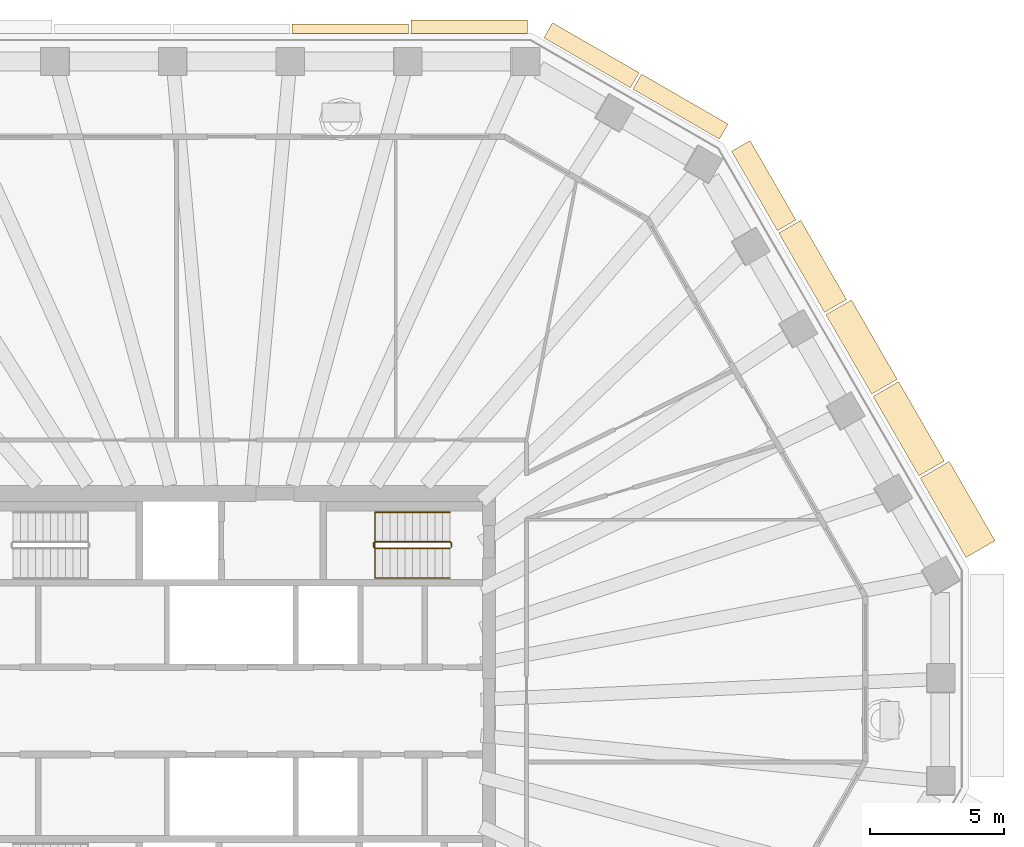
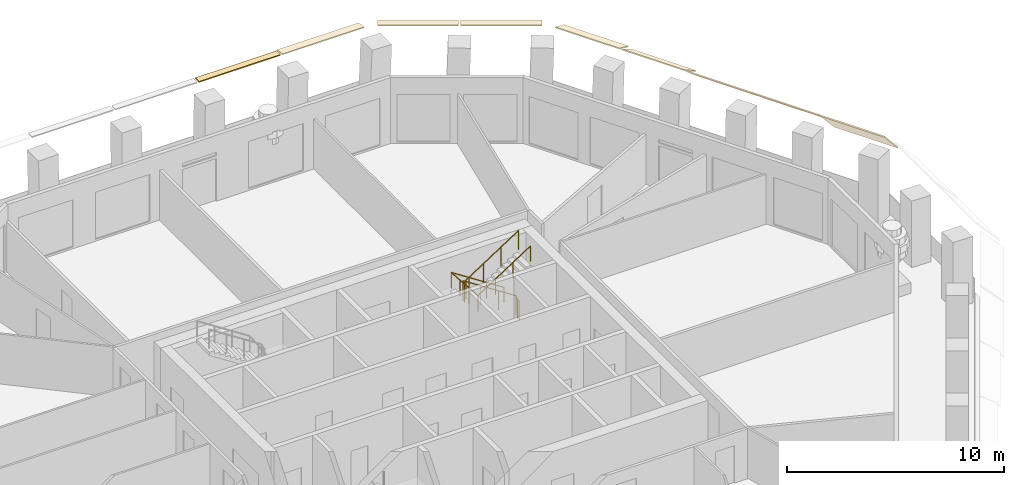
# One storey, part 10 of 12: 9 coverings, 2 railings.
"""IFC4 building model written with IfcOpenShell, lengths in metres."""

from ifc_helpers import new_model, si_unit, direction, frame, origin, origin_2d, place, context, subcontext, project, spatial, polyline, circle, outline, extrude, material, layer, layer_set, type_object, element, save


model = new_model("IFC4")

# Units and contexts
model_context = context("Model", 3, precision=1e-05, world=origin(), true_north=direction((0.0, 1.0)))
body_context = subcontext(model_context, "Body", "Model", "MODEL_VIEW")
ifc_project = project(units=[si_unit("LENGTHUNIT", "METRE"), si_unit("AREAUNIT", "SQUARE_METRE"), si_unit("VOLUMEUNIT", "CUBIC_METRE"), si_unit("PLANEANGLEUNIT", "RADIAN"), si_unit("MASSUNIT", "GRAM", prefix="KILO")], contexts=[model_context])

# Site, building, storey
site_placement = place(None, origin())
site = spatial("IfcSite", under=ifc_project, at=site_placement, CompositionType="ELEMENT")
building_placement = place(site_placement, origin())
building = spatial("IfcBuilding", under=site, at=building_placement, Name="Frailejon Research Tower", CompositionType="ELEMENT")
storey_placement = place(building_placement, frame((0.0, 0.0, 249.39990234375)))
storey = spatial("IfcBuildingStorey", under=building, at=storey_placement, Name="L54", CompositionType="ELEMENT", Elevation=249.39990234375)

# Coverings
ifc_material_1 = material(Name="Precast concrete C50/60", Category="concrete")
ifc_layer_1 = layer(ifc_material_1, 0.06005859375)
ifc_layer_set_1 = layer_set([ifc_layer_1], Name="Brim blade depth 1100")
covering_type_1 = type_object("IfcCoveringType", Name="Brim blade depth 1100", PredefinedType="CLADDING", material=ifc_layer_set_1)
for number, where, z_axis, x_axis, name in (
    (1, (23.914306640625, 11.718994140625, 3.85009765625), (0.499998981795, -0.866025991645, 0.0), (0.866025991645, 0.499998981795, 0.0), "Brim blade L54"),
    (2, (22.156005859375, 14.764404296875, 3.85009765625), (0.499998981795, -0.866025991645, 0.0), (0.866025991645, 0.499998981795, 0.0), "Brim blade L54"),
):
    element("IfcCovering", number, at=place(storey_placement, frame(where, z_axis=z_axis, x_axis=x_axis)), inside=storey, type_object=covering_type_1, Name=name, PredefinedType="CLADDING", context=body_context, shape_type="SweptSolid", body=[
        extrude(outline(polyline([(0.0, -0.078369140625), (1.10009765625, -1.001220703125), (1.10009765625, -0.923095703125), (0.0, 0.0), (0.0, -0.078369140625)])), origin(), (0.0, 0.0, 1.0), 3.41650390625),
    ])
ifc_material_2 = material(Name="Precast concrete C50/60", Category="concrete")
ifc_layer_2 = layer(ifc_material_2, 0.06005859375)
ifc_layer_set_2 = layer_set([ifc_layer_2], Name="Brim blade depth 1250")
covering_type_2 = type_object("IfcCoveringType", Name="Brim blade depth 1250", PredefinedType="CLADDING", material=ifc_layer_set_2)
covering_1_placement = place(storey_placement, frame((25.672607421875, 8.673583984375, 3.85009765625), z_axis=(0.499986667949, -0.866033100911, 0.0), x_axis=(0.866033100911, 0.499986667949, 0.0)))
element("IfcCovering", 3, at=covering_1_placement, inside=storey, type_object=covering_type_2, Name="Brim blade L54", PredefinedType="CLADDING", context=body_context, shape_type="SweptSolid", body=[
    extrude(outline(polyline([(0.0, -0.0888671875), (1.25, -1.452880859375), (1.25, -1.364013671875), (0.0, 0.0), (0.0, -0.0888671875)])), origin(), (0.0, 0.0, 1.0), 3.41650390625),
])
ifc_material_3 = material(Name="Precast concrete C50/60", Category="concrete")
ifc_layer_3 = layer(ifc_material_3, 0.06005859375)
ifc_layer_set_3 = layer_set([ifc_layer_3], Name="Brim blade depth 350")
covering_type_3 = type_object("IfcCoveringType", Name="Brim blade depth 350", PredefinedType="CLADDING", material=ifc_layer_set_3)
covering_2_placement = place(storey_placement, frame((2.265380859375, 25.25, 3.85009765625), z_axis=(1.0, 0.0, 0.0), x_axis=(0.0, 1.0, 0.0)))
element("IfcCovering", 4, at=covering_2_placement, inside=storey, type_object=covering_type_3, Name="Brim blade L54", PredefinedType="CLADDING", context=body_context, shape_type="SweptSolid", body=[
    extrude(outline(polyline([(0.0, -0.06005859375), (0.35009765625, -0.06005859375), (0.35009765625, 0.0), (0.0, 0.0), (0.0, -0.06005859375)])), origin(), (0.0, 0.0, 1.0), 4.330810546875),
])
ifc_material_4 = material(Name="Precast concrete C50/60", Category="concrete")
ifc_layer_4 = layer(ifc_material_4, 0.06005859375)
ifc_layer_set_4 = layer_set([ifc_layer_4], Name="Brim blade depth 500")
covering_type_4 = type_object("IfcCoveringType", Name="Brim blade depth 500", PredefinedType="CLADDING", material=ifc_layer_set_4)
covering_3_placement = place(storey_placement, frame((6.6962890625, 25.25, 3.85009765625), z_axis=(1.0, 0.0, 0.0), x_axis=(0.0, 1.0, 0.0)))
element("IfcCovering", 5, at=covering_3_placement, inside=storey, type_object=covering_type_4, Name="Brim blade L54", PredefinedType="CLADDING", context=body_context, shape_type="SweptSolid", body=[
    extrude(outline(polyline([(0.0, -0.060546875), (0.5, -0.130859375), (0.5, -0.0703125), (0.0, 0.0), (0.0, -0.060546875)])), origin(), (0.0, 0.0, 1.0), 4.330810546875),
])
ifc_material_5 = material(Name="Precast concrete C50/60", Category="concrete")
ifc_layer_5 = layer(ifc_material_5, 0.06005859375)
ifc_layer_set_5 = layer_set([ifc_layer_5], Name="Brim blade depth 650")
covering_type_5 = type_object("IfcCoveringType", Name="Brim blade depth 650", PredefinedType="CLADDING", material=ifc_layer_set_5)
for number, where, z_axis, x_axis, name in (
    (6, (14.959716796875, 23.1708984375, 3.85009765625), (0.866029793251, -0.499992397145, 0.0), (0.499992397145, 0.866029793251, 0.0), "Brim blade L54"),
    (7, (11.6455078125, 25.084228515625, 3.85009765625), (0.866018477835, -0.500011995905, 0.0), (0.500011995905, 0.866018477835, 0.0), "Brim blade L54"),
):
    element("IfcCovering", number, at=place(storey_placement, frame(where, z_axis=z_axis, x_axis=x_axis)), inside=storey, type_object=covering_type_5, Name=name, PredefinedType="CLADDING", context=body_context, shape_type="SweptSolid", body=[
        extrude(outline(polyline([(0.0, -0.0625), (0.64990234375, -0.248779296875), (0.64990234375, -0.186279296875), (0.0, 0.0), (0.0, -0.0625)])), origin(), (0.0, 0.0, 1.0), 3.726806640625),
    ])
ifc_material_6 = material(Name="Precast concrete C50/60", Category="concrete")
ifc_layer_6 = layer(ifc_material_6, 0.06005859375)
ifc_layer_set_6 = layer_set([ifc_layer_6], Name="Brim blade depth 800")
covering_type_6 = type_object("IfcCoveringType", Name="Brim blade depth 800", PredefinedType="CLADDING", material=ifc_layer_set_6)
covering_4_placement = place(storey_placement, frame((18.6396484375, 20.85498046875, 3.85009765625), z_axis=(0.500007996105, -0.866020787182, 0.0), x_axis=(0.866020787182, 0.500007996105, 0.0)))
element("IfcCovering", 8, at=covering_4_placement, inside=storey, type_object=covering_type_6, Name="Brim blade L54", PredefinedType="CLADDING", context=body_context, shape_type="SweptSolid", body=[
    extrude(outline(polyline([(0.0, -0.065673828125), (0.800048828125, -0.421875), (0.800048828125, -0.356201171875), (0.0, 0.0), (0.0, -0.065673828125)])), origin(), (0.0, 0.0, 1.0), 3.41650390625),
])
ifc_material_7 = material(Name="Precast concrete C50/60", Category="concrete")
ifc_layer_7 = layer(ifc_material_7, 0.06005859375)
ifc_layer_set_7 = layer_set([ifc_layer_7], Name="Brim blade depth 950")
covering_type_7 = type_object("IfcCoveringType", Name="Brim blade depth 950", PredefinedType="CLADDING", material=ifc_layer_set_7)
covering_5_placement = place(storey_placement, frame((20.39794921875, 17.8095703125, 3.85009765625), z_axis=(0.499998981795, -0.866025991645, 0.0), x_axis=(0.866025991645, 0.499998981795, 0.0)))
element("IfcCovering", 9, at=covering_5_placement, inside=storey, type_object=covering_type_7, Name="Brim blade L54", PredefinedType="CLADDING", context=body_context, shape_type="SweptSolid", body=[
    extrude(outline(polyline([(0.0, -0.07080078125), (0.949951171875, -0.664306640625), (0.949951171875, -0.593505859375), (0.0, 0.0), (0.0, -0.07080078125)])), origin(), (0.0, 0.0, 1.0), 3.41650390625),
])

# Railings
ifc_material_8 = material(Name="Stainless steel", Category="steel")
railing_type_1 = type_object("IfcRailingType", Name="Stair guard 1100", PredefinedType="GUARDRAIL", material=ifc_material_8)
railing_1_placement = place(storey_placement, frame((8.199951171875, 6.10009765625, 0.0)))
element("IfcRailing", 10, at=railing_1_placement, inside=storey, type_object=railing_type_1, Name="L54 ST3 stair guard 1", PredefinedType="GUARDRAIL", context=body_context, shape_type="SweptSolid", body=[
    extrude(circle(Radius=0.02392578125, at=origin_2d()), frame((0.0, 0.0, 1.076171875), z_axis=(0.0, 1.0, 0.0), x_axis=(-1.0, 0.0, 0.0)), (0.0, 0.0, 1.0), 0.14990234375),
    extrude(circle(Radius=0.02392578125, at=origin_2d()), frame((0.0, 0.14990234375, 1.076171875), z_axis=(-0.256435381639, 0.256435381639, 0.931923704005), x_axis=(-0.707106781187, -0.707106781187, 0.0)), (0.0, 0.0, 1.0), 0.195068359375),
    extrude(circle(Radius=0.02392578125, at=origin_2d()), frame((-0.050048828125, 0.199951171875, 1.2578125), z_axis=(-0.83868413941, 0.0, 0.544618136222), x_axis=(0.0, -1.0, 0.0)), (0.0, 0.0, 1.0), 3.33837890625),
    extrude(circle(Radius=0.02392578125, at=origin_2d()), frame((-2.849853515625, 0.199951171875, 3.076171875), z_axis=(-0.707106781187, -0.707106781187, 0.0), x_axis=(0.707106781187, -0.707106781187, 0.0)), (0.0, 0.0, 1.0), 0.07080078125),
    extrude(circle(Radius=0.02392578125, at=origin_2d()), frame((-2.89990234375, 0.14990234375, 3.076171875), z_axis=(0.0, -1.0, 0.0), x_axis=(1.0, 0.0, 0.0)), (0.0, 0.0, 1.0), 0.14990234375),
    extrude(circle(Radius=0.02392578125, at=origin_2d()), frame((-2.89990234375, 0.0, 3.076171875), z_axis=(0.256435381639, -0.256435381639, 0.931923704005), x_axis=(0.707106781187, 0.707106781187, 0.0)), (0.0, 0.0, 1.0), 0.195068359375),
    extrude(circle(Radius=0.02392578125, at=origin_2d()), frame((-2.849853515625, -0.050048828125, 3.2578125), z_axis=(0.83868413941, 0.0, 0.544618136222), x_axis=(0.0, 1.0, 0.0)), (0.0, 0.0, 1.0), 3.33837890625),
    extrude(circle(Radius=0.02099609375, at=origin_2d()), origin(), (0.0, 0.0, 1.0), 1.052001953125),
    extrude(circle(Radius=0.02099609375, at=origin_2d()), frame((0.0, 0.14990234375, 0.0)), (0.0, 0.0, 1.0), 1.052001953125),
    extrude(circle(Radius=0.02099609375, at=origin_2d()), frame((-0.050048828125, 0.199951171875, 0.181884765625)), (0.0, 0.0, 1.0), 1.052001953125),
    extrude(circle(Radius=0.02099609375, at=origin_2d()), frame((-0.9833984375, 0.199951171875, 0.787841796875)), (0.0, 0.0, 1.0), 1.052001953125),
    extrude(circle(Radius=0.02099609375, at=origin_2d()), frame((-1.91650390625, 0.199951171875, 1.39404296875)), (0.0, 0.0, 1.0), 1.052001953125),
    extrude(circle(Radius=0.02099609375, at=origin_2d()), frame((-2.849853515625, 0.199951171875, 2.0)), (0.0, 0.0, 1.0), 1.052001953125),
    extrude(circle(Radius=0.02099609375, at=origin_2d()), frame((-2.89990234375, 0.14990234375, 2.0)), (0.0, 0.0, 1.0), 1.052001953125),
    extrude(circle(Radius=0.02099609375, at=origin_2d()), frame((-2.89990234375, 0.0, 2.0)), (0.0, 0.0, 1.0), 1.052001953125),
    extrude(circle(Radius=0.02099609375, at=origin_2d()), frame((-2.849853515625, -0.050048828125, 2.181884765625)), (0.0, 0.0, 1.0), 1.052001953125),
    extrude(circle(Radius=0.02099609375, at=origin_2d()), frame((-1.91650390625, -0.050048828125, 2.787841796875)), (0.0, 0.0, 1.0), 1.052001953125),
    extrude(circle(Radius=0.02099609375, at=origin_2d()), frame((-0.9833984375, -0.050048828125, 3.39404296875)), (0.0, 0.0, 1.0), 1.052001953125),
    extrude(circle(Radius=0.02099609375, at=origin_2d()), frame((-0.050048828125, -0.050048828125, 4.0)), (0.0, 0.0, 1.0), 1.052001953125),
])
ifc_material_9 = material(Name="Stainless steel", Category="steel")
railing_type_2 = type_object("IfcRailingType", Name="Stair handrail 900", PredefinedType="HANDRAIL", material=ifc_material_9)
railing_2_placement = place(storey_placement, frame((8.14990234375, 7.39990234375, 0.181884765625)))
element("IfcRailing", 11, at=railing_2_placement, inside=storey, type_object=railing_type_2, Name="L54 ST3 stair handrail 1", PredefinedType="HANDRAIL", context=body_context, shape_type="SweptSolid", body=[
    extrude(circle(Radius=0.02392578125, at=origin_2d()), frame((0.0, 0.0, 0.8759765625), z_axis=(-0.83868413941, 0.0, 0.544618136222), x_axis=(0.0, -1.0, 0.0)), (0.0, 0.0, 1.0), 3.33837890625),
    extrude(circle(Radius=0.02392578125, at=origin_2d()), frame((-2.7998046875, 0.0, 2.69384765625), z_axis=(0.0, -0.997255538948, 0.074036410216), x_axis=(1.0, 0.0, 0.0)), (0.0, 0.0, 1.0), 2.456787109375),
    extrude(circle(Radius=0.02392578125, at=origin_2d()), frame((-2.7998046875, -2.449951171875, 2.8759765625), z_axis=(0.83868413941, 0.0, 0.544618136222), x_axis=(0.0, 1.0, 0.0)), (0.0, 0.0, 1.0), 3.33837890625),
    extrude(circle(Radius=0.02099609375, at=origin_2d()), origin(), (0.0, 0.0, 1.0), 0.851806640625),
    extrude(circle(Radius=0.02099609375, at=origin_2d()), frame((-0.933349609375, 0.0, 0.60595703125)), (0.0, 0.0, 1.0), 0.851806640625),
    extrude(circle(Radius=0.02099609375, at=origin_2d()), frame((-1.866455078125, 0.0, 1.212158203125)), (0.0, 0.0, 1.0), 0.851806640625),
    extrude(circle(Radius=0.02099609375, at=origin_2d()), frame((-2.7998046875, 0.0, 1.818115234375)), (0.0, 0.0, 1.0), 0.851806640625),
    extrude(circle(Radius=0.02099609375, at=origin_2d()), frame((-2.7998046875, -0.816650390625, 1.878662109375)), (0.0, 0.0, 1.0), 0.851806640625),
    extrude(circle(Radius=0.02099609375, at=origin_2d()), frame((-2.7998046875, -1.63330078125, 1.939453125)), (0.0, 0.0, 1.0), 0.851806640625),
    extrude(circle(Radius=0.02099609375, at=origin_2d()), frame((-2.7998046875, -2.449951171875, 2.0)), (0.0, 0.0, 1.0), 0.851806640625),
    extrude(circle(Radius=0.02099609375, at=origin_2d()), frame((-1.866455078125, -2.449951171875, 2.60595703125)), (0.0, 0.0, 1.0), 0.851806640625),
    extrude(circle(Radius=0.02099609375, at=origin_2d()), frame((-0.933349609375, -2.449951171875, 3.212158203125)), (0.0, 0.0, 1.0), 0.851806640625),
    extrude(circle(Radius=0.02099609375, at=origin_2d()), frame((0.0, -2.449951171875, 3.818115234375)), (0.0, 0.0, 1.0), 0.851806640625),
])

save(model, "model.ifc")
